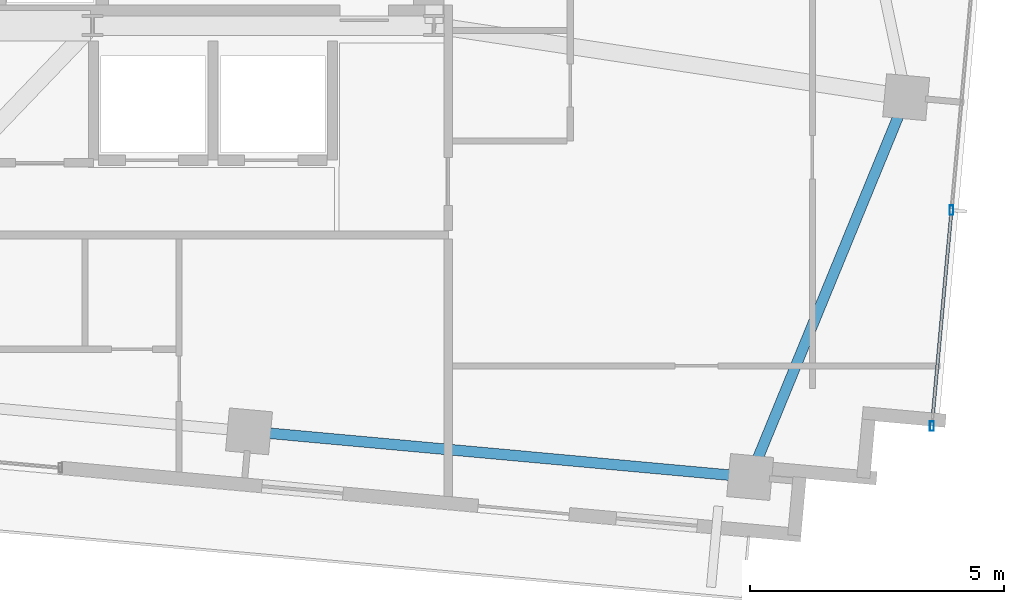
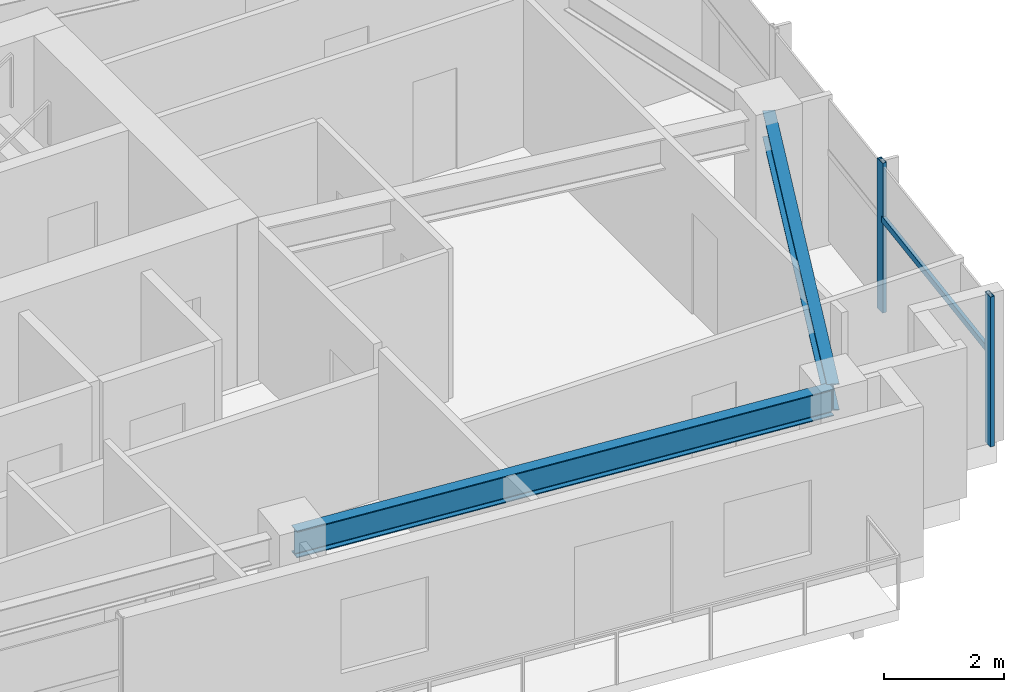
# One storey, part 12 of 22: 3 members, 2 beams, 1 element without a shape of its own.
"""IFC4 building model written with IfcOpenShell, lengths in metres."""

from ifc_helpers import new_model, si_unit, direction, frame, origin, origin_2d, place, context, subcontext, project, spatial, hollow_rectangle, i_section, extrude, source, transform, mapped, material, material_profile, profile_set, type_object, type_shapes, element, aggregate, save


model = new_model("IFC4")

# Units and contexts
model_context = context("Model", 3, precision=1e-05, world=origin(), true_north=direction((0.0, 1.0)))
body_context = subcontext(model_context, "Body", "Model", "MODEL_VIEW")
ifc_project = project(units=[si_unit("LENGTHUNIT", "METRE"), si_unit("AREAUNIT", "SQUARE_METRE"), si_unit("VOLUMEUNIT", "CUBIC_METRE"), si_unit("PLANEANGLEUNIT", "RADIAN"), si_unit("MASSUNIT", "GRAM", prefix="KILO")], contexts=[model_context])

# Site, building, storey
site_placement = place(None, origin())
site = spatial("IfcSite", under=ifc_project, at=site_placement, CompositionType="ELEMENT")
building_placement = place(site_placement, origin())
building = spatial("IfcBuilding", under=site, at=building_placement, Name="Astriad Promenade Condominiums", CompositionType="ELEMENT")
storey_placement = place(building_placement, frame((0.0, 0.0, 216.60009765625)))
storey = spatial("IfcBuildingStorey", under=building, at=storey_placement, Name="L62", CompositionType="ELEMENT", Elevation=216.60009765625)

# Beams
ifc_material_1 = material(Name="Steel ASTM A992 Grade 50", Category="steel")
ifc_material_profile_1 = material_profile(ifc_material_1, i_section(OverallWidth=0.210693359375, OverallDepth=0.53955078125, WebThickness=0.01171875, FlangeThickness=0.018798828125, FilletRadius=0.0166015625, at=origin_2d()), Name="W21X73")
ifc_profile_set_1 = profile_set([ifc_material_profile_1], Name="Steel ASTM A992 Grade 50")
beam_type = type_object("IfcBeamType", Name="STEEL SPANDREL BEAM W21X73", PredefinedType="SPANDREL", material=ifc_profile_set_1)
shared_shape_1 = source(origin(), body_context, "Body", "SweptSolid", [
    extrude(i_section(OverallWidth=0.210693359375, OverallDepth=0.53955078125, WebThickness=0.01171875, FlangeThickness=0.018798828125, FilletRadius=0.0166015625, at=origin_2d()), origin(), (0.0, 0.0, 1.0), 9.820068359375),
])
beam_1_placement = place(storey_placement, frame((41.99951171875, 9.410888671875, 2.77001953125), z_axis=(0.995883214993, -0.090645585088, 0.0), x_axis=(0.090645585088, 0.995883214993, 0.0)))
element("IfcBeam", 1, at=beam_1_placement, inside=storey, type_object=beam_type, Name="Perimeter Spandrel Beam SP-S4-L62", PredefinedType="SPANDREL", context=body_context, shape_type="MappedRepresentation", body=[
    mapped(shared_shape_1, transform((0.0, 0.0, 0.0), scale=1.0)),
])
shared_shape_2 = source(origin(), body_context, "Body", "SweptSolid", [
    extrude(i_section(OverallWidth=0.210693359375, OverallDepth=0.53955078125, WebThickness=0.01171875, FlangeThickness=0.018798828125, FilletRadius=0.0166015625, at=origin_2d()), origin(), (0.0, 0.0, 1.0), 7.998779296875),
])
type_shapes(beam_type, [shared_shape_1, shared_shape_2])
beam_2_placement = place(storey_placement, frame((51.833984375, 8.55419921875, 2.77001953125), z_axis=(0.38000513148, 0.924984378273, 0.0), x_axis=(-0.924984378273, 0.38000513148, 0.0)))
element("IfcBeam", 2, at=beam_2_placement, inside=storey, type_object=beam_type, Name="Perimeter Spandrel Beam SP-E1-L62", PredefinedType="SPANDREL", context=body_context, shape_type="MappedRepresentation", body=[
    mapped(shared_shape_2, transform((0.0, 0.0, 0.0), scale=1.0)),
])

# Curtain wall, members
ifc_material_2 = material(Name="Anodised aluminium Black Dark Glass Unitised", Category="aluminium")
curtain_wall_type = type_object("IfcCurtainWallType", Name="CW-B5-DARK", PredefinedType="USERDEFINED", material=ifc_material_2)
curtain_wall_placement = place(storey_placement, origin())
curtain_wall = element("IfcCurtainWall", 3, at=curtain_wall_placement, inside=storey, type_object=curtain_wall_type, Name="CW-L62-E", ObjectType="UNITISED_CURTAIN_WALL", PredefinedType="USERDEFINED")
ifc_material_3 = material(Name="Anodised aluminium 6063-T6 Black", Category="aluminium")
ifc_material_profile_2 = material_profile(ifc_material_3, hollow_rectangle(XDim=0.074951171875, YDim=0.18505859375, WallThickness=0.00439453125, at=origin_2d()), Name="ALU-MUL-75X185")
ifc_profile_set_2 = profile_set([ifc_material_profile_2], Name="Anodised aluminium 6063-T6 Black")
member_type_1 = type_object("IfcMemberType", Name="MUL-ALU-MUL-75X185", PredefinedType="MULLION", material=ifc_profile_set_2)
shared_shape_3 = source(origin(), body_context, "Body", "SweptSolid", [
    extrude(hollow_rectangle(XDim=0.074951171875, YDim=0.18505859375, WallThickness=0.00439453125, at=origin_2d()), origin(), (0.0, 0.0, 1.0), 3.039794921875),
])
type_shapes(member_type_1, [shared_shape_3])
member_1_placement = place(storey_placement, frame((55.78076171875, 13.766357421875, 0.0), z_axis=(0.0, 0.0, 1.0), x_axis=(1.0, 0.0, 0.0)))
member_1 = element("IfcMember", 4, at=member_1_placement, type_object=member_type_1, Name="CW-L62-E-MUL-02", PredefinedType="MULLION", context=body_context, shape_type="MappedRepresentation", body=[
    mapped(shared_shape_3, transform((0.0, 0.0, 0.0), scale=1.0)),
])
member_2_placement = place(storey_placement, frame((55.39404296875, 9.517333984375, 0.0), z_axis=(0.0, 0.0, 1.0), x_axis=(1.0, 0.0, 0.0)))
member_2 = element("IfcMember", 5, at=member_2_placement, type_object=member_type_1, Name="CW-L62-E-MUL-03", PredefinedType="MULLION", context=body_context, shape_type="MappedRepresentation", body=[
    mapped(shared_shape_3, transform((0.0, 0.0, 0.0), scale=1.0)),
])
ifc_material_profile_3 = material_profile(ifc_material_3, hollow_rectangle(XDim=0.06494140625, YDim=0.1298828125, WallThickness=0.00390625, at=origin_2d()), Name="ALU-TRN-65X130")
ifc_profile_set_3 = profile_set([ifc_material_profile_3], Name="Anodised aluminium 6063-T6 Black")
member_type_2 = type_object("IfcMemberType", Name="TRN-ALU-TRN-65X130", PredefinedType="USERDEFINED", material=ifc_profile_set_3)
shared_shape_4 = source(origin(), body_context, "Body", "SweptSolid", [
    extrude(hollow_rectangle(XDim=0.06494140625, YDim=0.1298828125, WallThickness=0.00390625, at=origin_2d()), origin(), (0.0, 0.0, 1.0), 4.2666015625),
])
type_shapes(member_type_2, [shared_shape_4])
member_3_placement = place(storey_placement, frame((55.78076171875, 13.766357421875, 1.884765625), z_axis=(-0.090638931954, -0.99588382054, 0.0), x_axis=(0.99588382054, -0.090638931954, 0.0)))
member_3 = element("IfcMember", 6, at=member_3_placement, type_object=member_type_2, Name="CW-L62-E-TRN-02-0", ObjectType="TRANSOM", PredefinedType="USERDEFINED", context=body_context, shape_type="MappedRepresentation", body=[
    mapped(shared_shape_4, transform((0.0, 0.0, 0.0), scale=1.0)),
])
aggregate(curtain_wall, [member_1, member_2, member_3])

save(model, "model.ifc")
